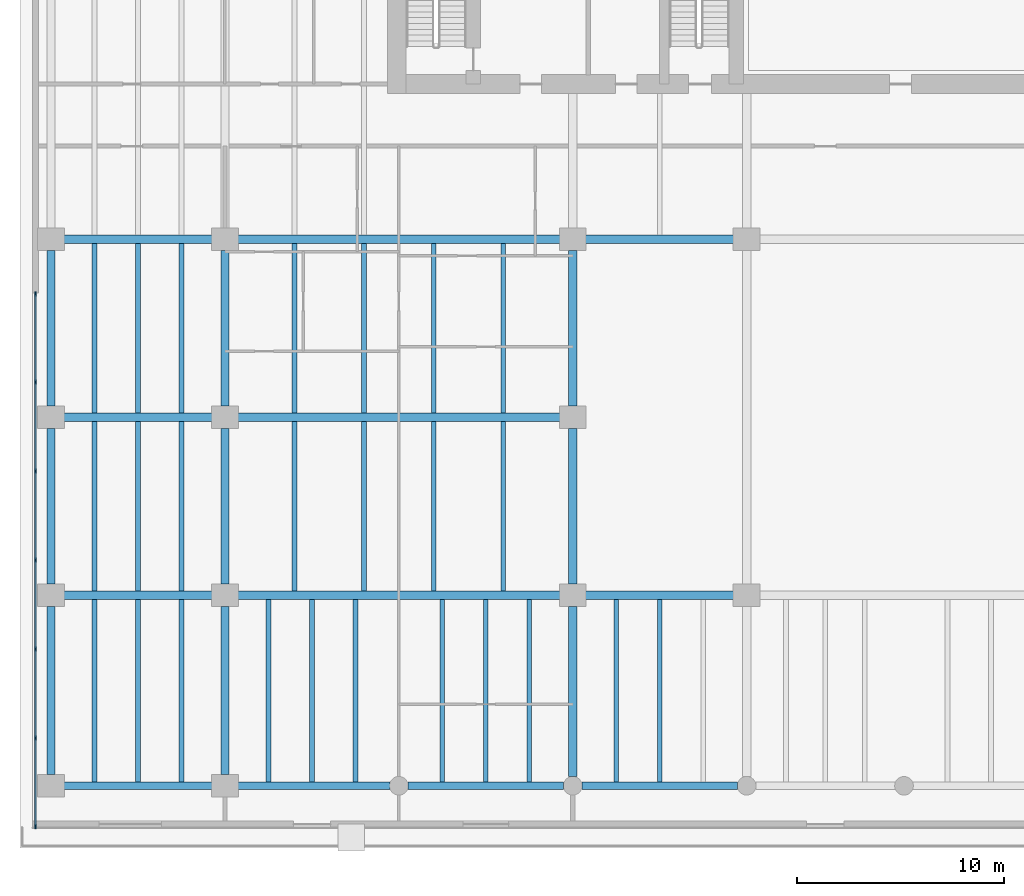
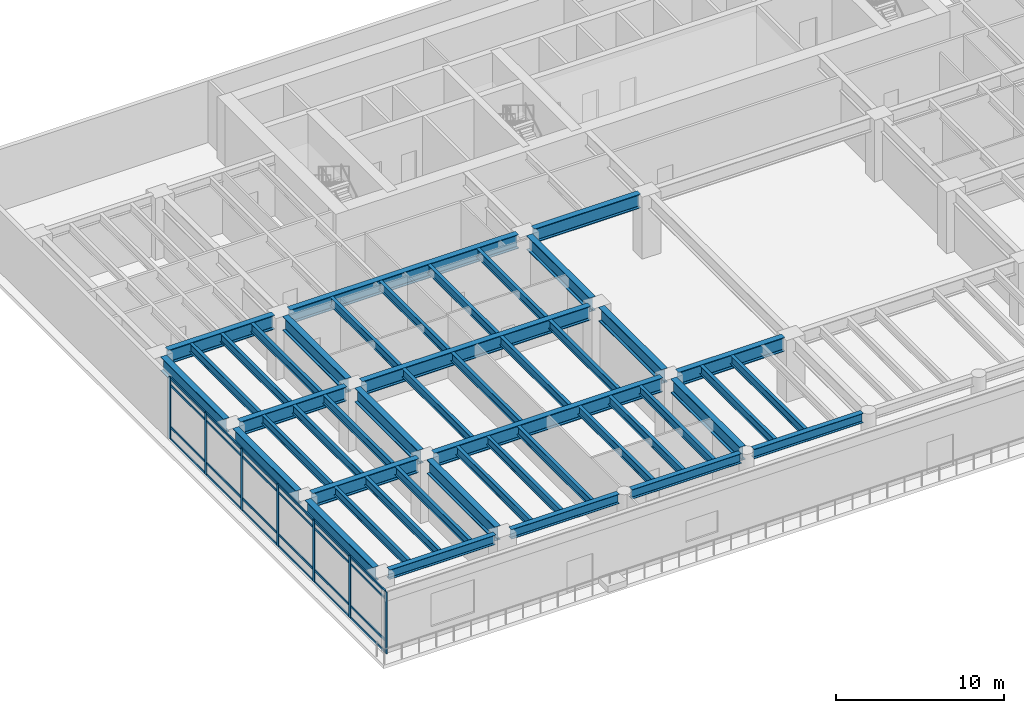
# One storey, part 2 of 17: 46 beams, 31 members, 1 element without a shape of its own.
"""IFC4 building model written with IfcOpenShell, lengths in metres."""

from ifc_helpers import new_model, si_unit, direction, frame, origin, origin_2d, place, context, subcontext, project, spatial, rectangle, i_section, extrude, material, layer, layer_set, material_profile, profile_set, type_object, element, aggregate, save


model = new_model("IFC4")

# Units and contexts
model_context = context("Model", 3, precision=1e-05, world=origin(), true_north=direction((0.0, 1.0)))
body_context = subcontext(model_context, "Body", "Model", "MODEL_VIEW")
ifc_project = project(units=[si_unit("LENGTHUNIT", "METRE"), si_unit("AREAUNIT", "SQUARE_METRE"), si_unit("VOLUMEUNIT", "CUBIC_METRE"), si_unit("PLANEANGLEUNIT", "RADIAN"), si_unit("MASSUNIT", "GRAM", prefix="KILO")], contexts=[model_context])

# Site, building, storey
site_placement = place(None, origin())
site = spatial("IfcSite", under=ifc_project, at=site_placement, CompositionType="ELEMENT")
building_placement = place(site_placement, origin())
building = spatial("IfcBuilding", under=site, at=building_placement, Name="Caelmar Bay Residences", CompositionType="ELEMENT")
storey_placement = place(building_placement, frame((0.0, 0.0, 10.199951171875)))
storey = spatial("IfcBuildingStorey", under=building, at=storey_placement, Name="L02", CompositionType="ELEMENT", Elevation=10.199951171875)

# Beams
ifc_material_1 = material(Name="Steel ASTM A992 Grade 50", Category="steel")
ifc_material_profile_1 = material_profile(ifc_material_1, i_section(OverallWidth=0.404052734375, OverallDepth=1.02099609375, WebThickness=0.025390625, FlangeThickness=0.0458984375, FilletRadius=0.02294921875, at=origin_2d()), Name="W40X324")
ifc_profile_set_1 = profile_set([ifc_material_profile_1], Name="Steel ASTM A992 Grade 50")
beam_type_1 = type_object("IfcBeamType", Name="BM-GRD-W40X324", PredefinedType="BEAM", material=ifc_profile_set_1)
beam_1_placement = place(storey_placement, frame((2.0400390625, 12.199951171875, 3.989501953125), z_axis=(1.0, 0.0, 0.0), x_axis=(0.0, 1.0, 0.0)))
element("IfcBeam", 1, at=beam_1_placement, inside=storey, type_object=beam_type_1, Name="L02 East-West Girder Y=12.20 (1.5-9.9)", PredefinedType="BEAM", context=body_context, shape_type="SweptSolid", body=[
    extrude(i_section(OverallWidth=0.404052734375, OverallDepth=1.02099609375, WebThickness=0.025390625, FlangeThickness=0.0458984375, FilletRadius=0.02294921875, at=origin_2d()), origin(), (0.0, 0.0, 1.0), 7.320068359375),
])
beam_2_placement = place(storey_placement, frame((10.43994140625, 12.199951171875, 3.989501953125), z_axis=(1.0, 0.0, 0.0), x_axis=(0.0, 1.0, 0.0)))
element("IfcBeam", 2, at=beam_2_placement, inside=storey, type_object=beam_type_1, Name="L02 East-West Girder Y=12.20 (9.9-26.7)", PredefinedType="BEAM", context=body_context, shape_type="SweptSolid", body=[
    extrude(i_section(OverallWidth=0.404052734375, OverallDepth=1.02099609375, WebThickness=0.025390625, FlangeThickness=0.0458984375, FilletRadius=0.02294921875, at=origin_2d()), origin(), (0.0, 0.0, 1.0), 15.719970703125),
])
for number, where, z_axis, x_axis, name in (
    (3, (27.239990234375, 12.199951171875, 3.989501953125), (1.0, 0.0, 0.0), (0.0, 1.0, 0.0), "L02 East-West Girder Y=12.20 (26.7-35.1)"),
    (4, (2.0400390625, 20.800048828125, 3.989501953125), (1.0, 0.0, 0.0), (0.0, 1.0, 0.0), "L02 East-West Girder Y=20.80 (1.5-9.9)"),
):
    element("IfcBeam", number, at=place(storey_placement, frame(where, z_axis=z_axis, x_axis=x_axis)), inside=storey, type_object=beam_type_1, Name=name, PredefinedType="BEAM", context=body_context, shape_type="SweptSolid", body=[
        extrude(i_section(OverallWidth=0.404052734375, OverallDepth=1.02099609375, WebThickness=0.025390625, FlangeThickness=0.0458984375, FilletRadius=0.02294921875, at=origin_2d()), origin(), (0.0, 0.0, 1.0), 7.320068359375),
    ])
beam_3_placement = place(storey_placement, frame((10.43994140625, 20.800048828125, 3.989501953125), z_axis=(1.0, 0.0, 0.0), x_axis=(0.0, 1.0, 0.0)))
element("IfcBeam", 5, at=beam_3_placement, inside=storey, type_object=beam_type_1, Name="L02 East-West Girder Y=20.80 (9.9-26.7)", PredefinedType="BEAM", context=body_context, shape_type="SweptSolid", body=[
    extrude(i_section(OverallWidth=0.404052734375, OverallDepth=1.02099609375, WebThickness=0.025390625, FlangeThickness=0.0458984375, FilletRadius=0.02294921875, at=origin_2d()), origin(), (0.0, 0.0, 1.0), 15.719970703125),
])
beam_4_placement = place(storey_placement, frame((2.0400390625, 29.39990234375, 3.989501953125), z_axis=(1.0, 0.0, 0.0), x_axis=(0.0, 1.0, 0.0)))
element("IfcBeam", 6, at=beam_4_placement, inside=storey, type_object=beam_type_1, Name="L02 East-West Girder Y=29.40 (1.5-9.9)", PredefinedType="BEAM", context=body_context, shape_type="SweptSolid", body=[
    extrude(i_section(OverallWidth=0.404052734375, OverallDepth=1.02099609375, WebThickness=0.025390625, FlangeThickness=0.0458984375, FilletRadius=0.02294921875, at=origin_2d()), origin(), (0.0, 0.0, 1.0), 7.320068359375),
])
beam_5_placement = place(storey_placement, frame((10.43994140625, 29.39990234375, 3.989501953125), z_axis=(1.0, 0.0, 0.0), x_axis=(0.0, 1.0, 0.0)))
element("IfcBeam", 7, at=beam_5_placement, inside=storey, type_object=beam_type_1, Name="L02 East-West Girder Y=29.40 (9.9-26.7)", PredefinedType="BEAM", context=body_context, shape_type="SweptSolid", body=[
    extrude(i_section(OverallWidth=0.404052734375, OverallDepth=1.02099609375, WebThickness=0.025390625, FlangeThickness=0.0458984375, FilletRadius=0.02294921875, at=origin_2d()), origin(), (0.0, 0.0, 1.0), 15.719970703125),
])
beam_6_placement = place(storey_placement, frame((27.239990234375, 29.39990234375, 3.989501953125), z_axis=(1.0, 0.0, 0.0), x_axis=(0.0, 1.0, 0.0)))
element("IfcBeam", 8, at=beam_6_placement, inside=storey, type_object=beam_type_1, Name="L02 East-West Girder Y=29.40 (26.7-35.1)", PredefinedType="BEAM", context=body_context, shape_type="SweptSolid", body=[
    extrude(i_section(OverallWidth=0.404052734375, OverallDepth=1.02099609375, WebThickness=0.025390625, FlangeThickness=0.0458984375, FilletRadius=0.02294921875, at=origin_2d()), origin(), (0.0, 0.0, 1.0), 7.320068359375),
])
beam_7_placement = place(storey_placement, frame((1.5, 3.5400390625, 3.989501953125), z_axis=(0.0, 1.0, 0.0), x_axis=(-1.0, 0.0, 0.0)))
element("IfcBeam", 9, at=beam_7_placement, inside=storey, type_object=beam_type_1, Name="L02 North-South Girder X=1.50 (3.0-12.2)", PredefinedType="BEAM", context=body_context, shape_type="SweptSolid", body=[
    extrude(i_section(OverallWidth=0.404052734375, OverallDepth=1.02099609375, WebThickness=0.025390625, FlangeThickness=0.0458984375, FilletRadius=0.02294921875, at=origin_2d()), origin(), (0.0, 0.0, 1.0), 8.119873046875),
])
for number, where, z_axis, x_axis, name in (
    (10, (1.5, 12.739990234375, 3.989501953125), (0.0, 1.0, 0.0), (-1.0, 0.0, 0.0), "L02 North-South Girder X=1.50 (12.2-20.8)"),
    (11, (1.5, 21.340087890625, 3.989501953125), (0.0, 1.0, 0.0), (-1.0, 0.0, 0.0), "L02 North-South Girder X=1.50 (20.8-29.4)"),
):
    element("IfcBeam", number, at=place(storey_placement, frame(where, z_axis=z_axis, x_axis=x_axis)), inside=storey, type_object=beam_type_1, Name=name, PredefinedType="BEAM", context=body_context, shape_type="SweptSolid", body=[
        extrude(i_section(OverallWidth=0.404052734375, OverallDepth=1.02099609375, WebThickness=0.025390625, FlangeThickness=0.0458984375, FilletRadius=0.02294921875, at=origin_2d()), origin(), (0.0, 0.0, 1.0), 7.52001953125),
    ])
beam_8_placement = place(storey_placement, frame((9.89990234375, 3.5400390625, 3.989501953125), z_axis=(0.0, 1.0, 0.0), x_axis=(-1.0, 0.0, 0.0)))
element("IfcBeam", 12, at=beam_8_placement, inside=storey, type_object=beam_type_1, Name="L02 North-South Girder X=9.90 (3.0-12.2)", PredefinedType="BEAM", context=body_context, shape_type="SweptSolid", body=[
    extrude(i_section(OverallWidth=0.404052734375, OverallDepth=1.02099609375, WebThickness=0.025390625, FlangeThickness=0.0458984375, FilletRadius=0.02294921875, at=origin_2d()), origin(), (0.0, 0.0, 1.0), 8.119873046875),
])
for number, where, z_axis, x_axis, name in (
    (13, (9.89990234375, 12.739990234375, 3.989501953125), (0.0, 1.0, 0.0), (-1.0, 0.0, 0.0), "L02 North-South Girder X=9.90 (12.2-20.8)"),
    (14, (9.89990234375, 21.340087890625, 3.989501953125), (0.0, 1.0, 0.0), (-1.0, 0.0, 0.0), "L02 North-South Girder X=9.90 (20.8-29.4)"),
):
    element("IfcBeam", number, at=place(storey_placement, frame(where, z_axis=z_axis, x_axis=x_axis)), inside=storey, type_object=beam_type_1, Name=name, PredefinedType="BEAM", context=body_context, shape_type="SweptSolid", body=[
        extrude(i_section(OverallWidth=0.404052734375, OverallDepth=1.02099609375, WebThickness=0.025390625, FlangeThickness=0.0458984375, FilletRadius=0.02294921875, at=origin_2d()), origin(), (0.0, 0.0, 1.0), 7.52001953125),
    ])
beam_9_placement = place(storey_placement, frame((26.699951171875, 3.43994140625, 3.989501953125), z_axis=(0.0, 1.0, 0.0), x_axis=(-1.0, 0.0, 0.0)))
element("IfcBeam", 15, at=beam_9_placement, inside=storey, type_object=beam_type_1, Name="L02 North-South Girder X=26.70 (3.0-12.2)", PredefinedType="BEAM", context=body_context, shape_type="SweptSolid", body=[
    extrude(i_section(OverallWidth=0.404052734375, OverallDepth=1.02099609375, WebThickness=0.025390625, FlangeThickness=0.0458984375, FilletRadius=0.02294921875, at=origin_2d()), origin(), (0.0, 0.0, 1.0), 8.219970703125),
])
for number, where, z_axis, x_axis, name in (
    (16, (26.699951171875, 12.739990234375, 3.989501953125), (0.0, 1.0, 0.0), (-1.0, 0.0, 0.0), "L02 North-South Girder X=26.70 (12.2-20.8)"),
    (17, (26.699951171875, 21.340087890625, 3.989501953125), (0.0, 1.0, 0.0), (-1.0, 0.0, 0.0), "L02 North-South Girder X=26.70 (20.8-29.4)"),
):
    element("IfcBeam", number, at=place(storey_placement, frame(where, z_axis=z_axis, x_axis=x_axis)), inside=storey, type_object=beam_type_1, Name=name, PredefinedType="BEAM", context=body_context, shape_type="SweptSolid", body=[
        extrude(i_section(OverallWidth=0.404052734375, OverallDepth=1.02099609375, WebThickness=0.025390625, FlangeThickness=0.0458984375, FilletRadius=0.02294921875, at=origin_2d()), origin(), (0.0, 0.0, 1.0), 7.52001953125),
    ])
ifc_material_profile_2 = material_profile(ifc_material_1, i_section(OverallWidth=0.22900390625, OverallDepth=0.612060546875, WebThickness=0.011962890625, FlangeThickness=0.01953125, FilletRadius=0.0126953125, at=origin_2d()), Name="W24X84")
ifc_profile_set_2 = profile_set([ifc_material_profile_2], Name="Steel ASTM A992 Grade 50")
beam_type_2 = type_object("IfcBeamType", Name="BM-JST-W24X84", PredefinedType="JOIST", material=ifc_profile_set_2)
for number, where, z_axis, x_axis, name in (
    (18, (3.60009765625, 3.177978515625, 4.194091796875), (0.0, 1.0, 0.0), (-1.0, 0.0, 0.0), "L02 Composite Floor Joist 1"),
    (19, (5.699951171875, 3.177978515625, 4.194091796875), (0.0, 1.0, 0.0), (-1.0, 0.0, 0.0), "L02 Composite Floor Joist 2"),
    (20, (7.800048828125, 3.177978515625, 4.194091796875), (0.0, 1.0, 0.0), (-1.0, 0.0, 0.0), "L02 Composite Floor Joist 3"),
    (21, (12.0, 3.177978515625, 4.194091796875), (0.0, 1.0, 0.0), (-1.0, 0.0, 0.0), "L02 Composite Floor Joist 4"),
    (22, (14.10009765625, 3.177978515625, 4.194091796875), (0.0, 1.0, 0.0), (-1.0, 0.0, 0.0), "L02 Composite Floor Joist 5"),
    (23, (16.199951171875, 3.177978515625, 4.194091796875), (0.0, 1.0, 0.0), (-1.0, 0.0, 0.0), "L02 Composite Floor Joist 6"),
    (24, (20.39990234375, 3.177978515625, 4.194091796875), (0.0, 1.0, 0.0), (-1.0, 0.0, 0.0), "L02 Composite Floor Joist 7"),
    (25, (22.5, 3.177978515625, 4.194091796875), (0.0, 1.0, 0.0), (-1.0, 0.0, 0.0), "L02 Composite Floor Joist 8"),
    (26, (24.60009765625, 3.177978515625, 4.194091796875), (0.0, 1.0, 0.0), (-1.0, 0.0, 0.0), "L02 Composite Floor Joist 9"),
    (27, (28.800048828125, 3.177978515625, 4.194091796875), (0.0, 1.0, 0.0), (-1.0, 0.0, 0.0), "L02 Composite Floor Joist 10"),
    (28, (30.89990234375, 3.177978515625, 4.194091796875), (0.0, 1.0, 0.0), (-1.0, 0.0, 0.0), "L02 Composite Floor Joist 11"),
):
    element("IfcBeam", number, at=place(storey_placement, frame(where, z_axis=z_axis, x_axis=x_axis)), inside=storey, type_object=beam_type_2, Name=name, PredefinedType="JOIST", context=body_context, shape_type="SweptSolid", body=[
        extrude(i_section(OverallWidth=0.22900390625, OverallDepth=0.612060546875, WebThickness=0.011962890625, FlangeThickness=0.01953125, FilletRadius=0.0126953125, at=origin_2d()), origin(), (0.0, 0.0, 1.0), 8.820068359375),
    ])
for number, where, z_axis, x_axis, name in (
    (29, (3.60009765625, 12.402099609375, 4.194091796875), (0.0, 1.0, 0.0), (-1.0, 0.0, 0.0), "L02 Composite Floor Joist 28"),
    (30, (5.699951171875, 12.402099609375, 4.194091796875), (0.0, 1.0, 0.0), (-1.0, 0.0, 0.0), "L02 Composite Floor Joist 29"),
    (31, (7.800048828125, 12.402099609375, 4.194091796875), (0.0, 1.0, 0.0), (-1.0, 0.0, 0.0), "L02 Composite Floor Joist 30"),
    (32, (13.260009765625, 12.402099609375, 4.194091796875), (0.0, 1.0, 0.0), (-1.0, 0.0, 0.0), "L02 Composite Floor Joist 31"),
    (33, (16.6201171875, 12.402099609375, 4.194091796875), (0.0, 1.0, 0.0), (-1.0, 0.0, 0.0), "L02 Composite Floor Joist 32"),
    (34, (19.97998046875, 12.402099609375, 4.194091796875), (0.0, 1.0, 0.0), (-1.0, 0.0, 0.0), "L02 Composite Floor Joist 33"),
    (35, (23.340087890625, 12.402099609375, 4.194091796875), (0.0, 1.0, 0.0), (-1.0, 0.0, 0.0), "L02 Composite Floor Joist 34"),
):
    element("IfcBeam", number, at=place(storey_placement, frame(where, z_axis=z_axis, x_axis=x_axis)), inside=storey, type_object=beam_type_2, Name=name, PredefinedType="JOIST", context=body_context, shape_type="SweptSolid", body=[
        extrude(i_section(OverallWidth=0.22900390625, OverallDepth=0.612060546875, WebThickness=0.011962890625, FlangeThickness=0.01953125, FilletRadius=0.0126953125, at=origin_2d()), origin(), (0.0, 0.0, 1.0), 8.19580078125),
    ])
for number, where, z_axis, x_axis, name in (
    (36, (3.60009765625, 21.001953125, 4.194091796875), (0.0, 1.0, 0.0), (-1.0, 0.0, 0.0), "L02 Composite Floor Joist 42"),
    (37, (5.699951171875, 21.001953125, 4.194091796875), (0.0, 1.0, 0.0), (-1.0, 0.0, 0.0), "L02 Composite Floor Joist 43"),
    (38, (7.800048828125, 21.001953125, 4.194091796875), (0.0, 1.0, 0.0), (-1.0, 0.0, 0.0), "L02 Composite Floor Joist 44"),
    (39, (13.260009765625, 21.001953125, 4.194091796875), (0.0, 1.0, 0.0), (-1.0, 0.0, 0.0), "L02 Composite Floor Joist 45"),
    (40, (16.6201171875, 21.001953125, 4.194091796875), (0.0, 1.0, 0.0), (-1.0, 0.0, 0.0), "L02 Composite Floor Joist 46"),
    (41, (19.97998046875, 21.001953125, 4.194091796875), (0.0, 1.0, 0.0), (-1.0, 0.0, 0.0), "L02 Composite Floor Joist 47"),
    (42, (23.340087890625, 21.001953125, 4.194091796875), (0.0, 1.0, 0.0), (-1.0, 0.0, 0.0), "L02 Composite Floor Joist 48"),
):
    element("IfcBeam", number, at=place(storey_placement, frame(where, z_axis=z_axis, x_axis=x_axis)), inside=storey, type_object=beam_type_2, Name=name, PredefinedType="JOIST", context=body_context, shape_type="SweptSolid", body=[
        extrude(i_section(OverallWidth=0.22900390625, OverallDepth=0.612060546875, WebThickness=0.011962890625, FlangeThickness=0.01953125, FilletRadius=0.0126953125, at=origin_2d()), origin(), (0.0, 0.0, 1.0), 8.196044921875),
    ])
ifc_material_profile_3 = material_profile(ifc_material_1, i_section(OverallWidth=0.35595703125, OverallDepth=0.696044921875, WebThickness=0.015380859375, FlangeThickness=0.02490234375, FilletRadius=0.01513671875, at=origin_2d()), Name="W27X146")
ifc_profile_set_3 = profile_set([ifc_material_profile_3], Name="Steel ASTM A992 Grade 50")
beam_type_3 = type_object("IfcBeamType", Name="BM-SPN-W27X146", PredefinedType="SPANDREL", material=ifc_profile_set_3)
beam_10_placement = place(storey_placement, frame((2.0400390625, 3.0, 4.152099609375), z_axis=(1.0, 0.0, 0.0), x_axis=(0.0, 1.0, 0.0)))
element("IfcBeam", 43, at=beam_10_placement, inside=storey, type_object=beam_type_3, Name="L02 East-West Girder Y=3.00 (1.5-9.9)", PredefinedType="SPANDREL", context=body_context, shape_type="SweptSolid", body=[
    extrude(i_section(OverallWidth=0.35595703125, OverallDepth=0.696044921875, WebThickness=0.015380859375, FlangeThickness=0.02490234375, FilletRadius=0.01513671875, at=origin_2d()), origin(), (0.0, 0.0, 1.0), 7.320068359375),
])
beam_11_placement = place(storey_placement, frame((10.43994140625, 3.0, 4.152099609375), z_axis=(1.0, 0.0, 0.0), x_axis=(0.0, 1.0, 0.0)))
element("IfcBeam", 44, at=beam_11_placement, inside=storey, type_object=beam_type_3, Name="L02 East-West Girder Y=3.00 (9.9-18.3)", PredefinedType="SPANDREL", context=body_context, shape_type="SweptSolid", body=[
    extrude(i_section(OverallWidth=0.35595703125, OverallDepth=0.696044921875, WebThickness=0.015380859375, FlangeThickness=0.02490234375, FilletRadius=0.01513671875, at=origin_2d()), origin(), (0.0, 0.0, 1.0), 7.420166015625),
])
for number, where, z_axis, x_axis, name in (
    (45, (18.739990234375, 3.0, 4.152099609375), (1.0, 0.0, 0.0), (0.0, 1.0, 0.0), "L02 East-West Girder Y=3.00 (18.3-26.7)"),
    (46, (27.139892578125, 3.0, 4.152099609375), (1.0, 0.0, 0.0), (0.0, 1.0, 0.0), "L02 East-West Girder Y=3.00 (26.7-35.1)"),
):
    element("IfcBeam", number, at=place(storey_placement, frame(where, z_axis=z_axis, x_axis=x_axis)), inside=storey, type_object=beam_type_3, Name=name, PredefinedType="SPANDREL", context=body_context, shape_type="SweptSolid", body=[
        extrude(i_section(OverallWidth=0.35595703125, OverallDepth=0.696044921875, WebThickness=0.015380859375, FlangeThickness=0.02490234375, FilletRadius=0.01513671875, at=origin_2d()), origin(), (0.0, 0.0, 1.0), 7.52001953125),
    ])

# Curtain wall, members
ifc_material_2 = material(Name="Anodised bronze aluminium 6063-T6 and laminated glass", Category="aluminium")
ifc_layer = layer(ifc_material_2, 0.179931640625)
ifc_layer_set = layer_set([ifc_layer], Name="Anodised bronze aluminium 6063-T6 and laminated glass")
curtain_wall_type = type_object("IfcCurtainWallType", Name="CW1-POD", PredefinedType="NOTDEFINED", material=ifc_layer_set)
curtain_wall_placement = place(storey_placement, origin())
curtain_wall = element("IfcCurtainWall", 47, at=curtain_wall_placement, inside=storey, type_object=curtain_wall_type, Name="CW1 curtain wall L02", PredefinedType="NOTDEFINED")
ifc_material_3 = material(Name="Anodised bronze aluminium 6063-T6", Category="aluminium")
ifc_material_profile_4 = material_profile(ifc_material_3, rectangle(XDim=0.080078125, YDim=0.219970703125, at=origin_2d()), Name="CWM-80X220")
ifc_profile_set_4 = profile_set([ifc_material_profile_4], Name="Anodised bronze aluminium 6063-T6")
member_type_1 = type_object("IfcMemberType", Name="CWM-220", PredefinedType="MULLION", material=ifc_profile_set_4)
member_1_placement = place(storey_placement, frame((0.75, 1.0400390625, 0.0), z_axis=(0.0, 0.0, 1.0), x_axis=(-1.0, 0.0, 0.0)))
member_1 = element("IfcMember", 48, at=member_1_placement, type_object=member_type_1, Name="CW1 mullion 1", PredefinedType="MULLION", context=body_context, shape_type="SweptSolid", body=[
    extrude(rectangle(XDim=0.080078125, YDim=0.219970703125, at=origin_2d()), origin(), (0.0, 0.0, 1.0), 4.5),
])
member_2_placement = place(storey_placement, frame((0.75, 5.300048828125, 0.0), z_axis=(0.0, 0.0, 1.0), x_axis=(-1.0, 0.0, 0.0)))
member_2 = element("IfcMember", 49, at=member_2_placement, type_object=member_type_1, Name="CW1 mullion 2", PredefinedType="MULLION", context=body_context, shape_type="SweptSolid", body=[
    extrude(rectangle(XDim=0.080078125, YDim=0.219970703125, at=origin_2d()), origin(), (0.0, 0.0, 1.0), 4.5),
])
member_3_placement = place(storey_placement, frame((0.75, 9.60009765625, 0.0), z_axis=(0.0, 0.0, 1.0), x_axis=(-1.0, 0.0, 0.0)))
member_3 = element("IfcMember", 50, at=member_3_placement, type_object=member_type_1, Name="CW1 mullion 3", PredefinedType="MULLION", context=body_context, shape_type="SweptSolid", body=[
    extrude(rectangle(XDim=0.080078125, YDim=0.219970703125, at=origin_2d()), origin(), (0.0, 0.0, 1.0), 4.5),
])
member_4_placement = place(storey_placement, frame((0.75, 13.89990234375, 0.0), z_axis=(0.0, 0.0, 1.0), x_axis=(-1.0, 0.0, 0.0)))
member_4 = element("IfcMember", 51, at=member_4_placement, type_object=member_type_1, Name="CW1 mullion 4", PredefinedType="MULLION", context=body_context, shape_type="SweptSolid", body=[
    extrude(rectangle(XDim=0.080078125, YDim=0.219970703125, at=origin_2d()), origin(), (0.0, 0.0, 1.0), 4.5),
])
member_5_placement = place(storey_placement, frame((0.75, 18.199951171875, 0.0), z_axis=(0.0, 0.0, 1.0), x_axis=(-1.0, 0.0, 0.0)))
member_5 = element("IfcMember", 52, at=member_5_placement, type_object=member_type_1, Name="CW1 mullion 5", PredefinedType="MULLION", context=body_context, shape_type="SweptSolid", body=[
    extrude(rectangle(XDim=0.080078125, YDim=0.219970703125, at=origin_2d()), origin(), (0.0, 0.0, 1.0), 4.5),
])
member_6_placement = place(storey_placement, frame((0.75, 22.5, 0.0), z_axis=(0.0, 0.0, 1.0), x_axis=(-1.0, 0.0, 0.0)))
member_6 = element("IfcMember", 53, at=member_6_placement, type_object=member_type_1, Name="CW1 mullion 6", PredefinedType="MULLION", context=body_context, shape_type="SweptSolid", body=[
    extrude(rectangle(XDim=0.080078125, YDim=0.219970703125, at=origin_2d()), origin(), (0.0, 0.0, 1.0), 4.5),
])
member_7_placement = place(storey_placement, frame((0.75, 26.760009765625, 0.0), z_axis=(0.0, 0.0, 1.0), x_axis=(-1.0, 0.0, 0.0)))
member_7 = element("IfcMember", 54, at=member_7_placement, type_object=member_type_1, Name="CW1 mullion 7", PredefinedType="MULLION", context=body_context, shape_type="SweptSolid", body=[
    extrude(rectangle(XDim=0.080078125, YDim=0.219970703125, at=origin_2d()), origin(), (0.0, 0.0, 1.0), 4.5),
])
ifc_material_profile_5 = material_profile(ifc_material_3, rectangle(XDim=0.080078125, YDim=0.159912109375, at=origin_2d()), Name="CWT-80X160")
ifc_profile_set_5 = profile_set([ifc_material_profile_5], Name="Anodised bronze aluminium 6063-T6")
member_type_2 = type_object("IfcMemberType", Name="CWT-160", PredefinedType="NOTDEFINED", material=ifc_profile_set_5)
member_8_placement = place(storey_placement, frame((0.75, 1.080078125, 0.0400390625), z_axis=(0.0, 1.0, 0.0), x_axis=(-1.0, 0.0, 0.0)))
member_8 = element("IfcMember", 55, at=member_8_placement, type_object=member_type_2, Name="CW1 transom 1.1", ObjectType="TRANSOM", PredefinedType="USERDEFINED", context=body_context, shape_type="SweptSolid", body=[
    extrude(rectangle(XDim=0.080078125, YDim=0.159912109375, at=origin_2d()), origin(), (0.0, 0.0, 1.0), 4.179931640625),
])
member_9_placement = place(storey_placement, frame((0.75, 1.080078125, 0.900146484375), z_axis=(0.0, 1.0, 0.0), x_axis=(-1.0, 0.0, 0.0)))
member_9 = element("IfcMember", 56, at=member_9_placement, type_object=member_type_2, Name="CW1 transom 1.2", ObjectType="TRANSOM", PredefinedType="USERDEFINED", context=body_context, shape_type="SweptSolid", body=[
    extrude(rectangle(XDim=0.080078125, YDim=0.159912109375, at=origin_2d()), origin(), (0.0, 0.0, 1.0), 4.179931640625),
])
member_10_placement = place(storey_placement, frame((0.75, 1.080078125, 3.949951171875), z_axis=(0.0, 1.0, 0.0), x_axis=(-1.0, 0.0, 0.0)))
member_10 = element("IfcMember", 57, at=member_10_placement, type_object=member_type_2, Name="CW1 transom 1.3", ObjectType="TRANSOM", PredefinedType="USERDEFINED", context=body_context, shape_type="SweptSolid", body=[
    extrude(rectangle(XDim=0.080078125, YDim=0.159912109375, at=origin_2d()), origin(), (0.0, 0.0, 1.0), 4.179931640625),
])
member_11_placement = place(storey_placement, frame((0.75, 1.080078125, 4.4599609375), z_axis=(0.0, 1.0, 0.0), x_axis=(-1.0, 0.0, 0.0)))
member_11 = element("IfcMember", 58, at=member_11_placement, type_object=member_type_2, Name="CW1 transom 1.4", ObjectType="TRANSOM", PredefinedType="USERDEFINED", context=body_context, shape_type="SweptSolid", body=[
    extrude(rectangle(XDim=0.080078125, YDim=0.159912109375, at=origin_2d()), origin(), (0.0, 0.0, 1.0), 4.179931640625),
])
member_12_placement = place(storey_placement, frame((0.75, 5.340087890625, 0.0400390625), z_axis=(0.0, 1.0, 0.0), x_axis=(-1.0, 0.0, 0.0)))
member_12 = element("IfcMember", 59, at=member_12_placement, type_object=member_type_2, Name="CW1 transom 2.1", ObjectType="TRANSOM", PredefinedType="USERDEFINED", context=body_context, shape_type="SweptSolid", body=[
    extrude(rectangle(XDim=0.080078125, YDim=0.159912109375, at=origin_2d()), origin(), (0.0, 0.0, 1.0), 4.219970703125),
])
member_13_placement = place(storey_placement, frame((0.75, 5.340087890625, 0.900146484375), z_axis=(0.0, 1.0, 0.0), x_axis=(-1.0, 0.0, 0.0)))
member_13 = element("IfcMember", 60, at=member_13_placement, type_object=member_type_2, Name="CW1 transom 2.2", ObjectType="TRANSOM", PredefinedType="USERDEFINED", context=body_context, shape_type="SweptSolid", body=[
    extrude(rectangle(XDim=0.080078125, YDim=0.159912109375, at=origin_2d()), origin(), (0.0, 0.0, 1.0), 4.219970703125),
])
member_14_placement = place(storey_placement, frame((0.75, 5.340087890625, 3.949951171875), z_axis=(0.0, 1.0, 0.0), x_axis=(-1.0, 0.0, 0.0)))
member_14 = element("IfcMember", 61, at=member_14_placement, type_object=member_type_2, Name="CW1 transom 2.3", ObjectType="TRANSOM", PredefinedType="USERDEFINED", context=body_context, shape_type="SweptSolid", body=[
    extrude(rectangle(XDim=0.080078125, YDim=0.159912109375, at=origin_2d()), origin(), (0.0, 0.0, 1.0), 4.219970703125),
])
member_15_placement = place(storey_placement, frame((0.75, 5.340087890625, 4.4599609375), z_axis=(0.0, 1.0, 0.0), x_axis=(-1.0, 0.0, 0.0)))
member_15 = element("IfcMember", 62, at=member_15_placement, type_object=member_type_2, Name="CW1 transom 2.4", ObjectType="TRANSOM", PredefinedType="USERDEFINED", context=body_context, shape_type="SweptSolid", body=[
    extrude(rectangle(XDim=0.080078125, YDim=0.159912109375, at=origin_2d()), origin(), (0.0, 0.0, 1.0), 4.219970703125),
])
member_16_placement = place(storey_placement, frame((0.75, 9.639892578125, 0.0400390625), z_axis=(0.0, 1.0, 0.0), x_axis=(-1.0, 0.0, 0.0)))
member_16 = element("IfcMember", 63, at=member_16_placement, type_object=member_type_2, Name="CW1 transom 3.1", ObjectType="TRANSOM", PredefinedType="USERDEFINED", context=body_context, shape_type="SweptSolid", body=[
    extrude(rectangle(XDim=0.080078125, YDim=0.159912109375, at=origin_2d()), origin(), (0.0, 0.0, 1.0), 4.22021484375),
])
member_17_placement = place(storey_placement, frame((0.75, 9.639892578125, 0.900146484375), z_axis=(0.0, 1.0, 0.0), x_axis=(-1.0, 0.0, 0.0)))
member_17 = element("IfcMember", 64, at=member_17_placement, type_object=member_type_2, Name="CW1 transom 3.2", ObjectType="TRANSOM", PredefinedType="USERDEFINED", context=body_context, shape_type="SweptSolid", body=[
    extrude(rectangle(XDim=0.080078125, YDim=0.159912109375, at=origin_2d()), origin(), (0.0, 0.0, 1.0), 4.22021484375),
])
member_18_placement = place(storey_placement, frame((0.75, 9.639892578125, 3.949951171875), z_axis=(0.0, 1.0, 0.0), x_axis=(-1.0, 0.0, 0.0)))
member_18 = element("IfcMember", 65, at=member_18_placement, type_object=member_type_2, Name="CW1 transom 3.3", ObjectType="TRANSOM", PredefinedType="USERDEFINED", context=body_context, shape_type="SweptSolid", body=[
    extrude(rectangle(XDim=0.080078125, YDim=0.159912109375, at=origin_2d()), origin(), (0.0, 0.0, 1.0), 4.22021484375),
])
member_19_placement = place(storey_placement, frame((0.75, 9.639892578125, 4.4599609375), z_axis=(0.0, 1.0, 0.0), x_axis=(-1.0, 0.0, 0.0)))
member_19 = element("IfcMember", 66, at=member_19_placement, type_object=member_type_2, Name="CW1 transom 3.4", ObjectType="TRANSOM", PredefinedType="USERDEFINED", context=body_context, shape_type="SweptSolid", body=[
    extrude(rectangle(XDim=0.080078125, YDim=0.159912109375, at=origin_2d()), origin(), (0.0, 0.0, 1.0), 4.22021484375),
])
member_20_placement = place(storey_placement, frame((0.75, 13.93994140625, 0.0400390625), z_axis=(0.0, 1.0, 0.0), x_axis=(-1.0, 0.0, 0.0)))
member_20 = element("IfcMember", 67, at=member_20_placement, type_object=member_type_2, Name="CW1 transom 4.1", ObjectType="TRANSOM", PredefinedType="USERDEFINED", context=body_context, shape_type="SweptSolid", body=[
    extrude(rectangle(XDim=0.080078125, YDim=0.159912109375, at=origin_2d()), origin(), (0.0, 0.0, 1.0), 4.219970703125),
])
member_21_placement = place(storey_placement, frame((0.75, 13.93994140625, 0.900146484375), z_axis=(0.0, 1.0, 0.0), x_axis=(-1.0, 0.0, 0.0)))
member_21 = element("IfcMember", 68, at=member_21_placement, type_object=member_type_2, Name="CW1 transom 4.2", ObjectType="TRANSOM", PredefinedType="USERDEFINED", context=body_context, shape_type="SweptSolid", body=[
    extrude(rectangle(XDim=0.080078125, YDim=0.159912109375, at=origin_2d()), origin(), (0.0, 0.0, 1.0), 4.219970703125),
])
member_22_placement = place(storey_placement, frame((0.75, 13.93994140625, 3.949951171875), z_axis=(0.0, 1.0, 0.0), x_axis=(-1.0, 0.0, 0.0)))
member_22 = element("IfcMember", 69, at=member_22_placement, type_object=member_type_2, Name="CW1 transom 4.3", ObjectType="TRANSOM", PredefinedType="USERDEFINED", context=body_context, shape_type="SweptSolid", body=[
    extrude(rectangle(XDim=0.080078125, YDim=0.159912109375, at=origin_2d()), origin(), (0.0, 0.0, 1.0), 4.219970703125),
])
member_23_placement = place(storey_placement, frame((0.75, 13.93994140625, 4.4599609375), z_axis=(0.0, 1.0, 0.0), x_axis=(-1.0, 0.0, 0.0)))
member_23 = element("IfcMember", 70, at=member_23_placement, type_object=member_type_2, Name="CW1 transom 4.4", ObjectType="TRANSOM", PredefinedType="USERDEFINED", context=body_context, shape_type="SweptSolid", body=[
    extrude(rectangle(XDim=0.080078125, YDim=0.159912109375, at=origin_2d()), origin(), (0.0, 0.0, 1.0), 4.219970703125),
])
member_24_placement = place(storey_placement, frame((0.75, 18.239990234375, 0.0400390625), z_axis=(0.0, 1.0, 0.0), x_axis=(-1.0, 0.0, 0.0)))
member_24 = element("IfcMember", 71, at=member_24_placement, type_object=member_type_2, Name="CW1 transom 5.1", ObjectType="TRANSOM", PredefinedType="USERDEFINED", context=body_context, shape_type="SweptSolid", body=[
    extrude(rectangle(XDim=0.080078125, YDim=0.159912109375, at=origin_2d()), origin(), (0.0, 0.0, 1.0), 4.219970703125),
])
member_25_placement = place(storey_placement, frame((0.75, 18.239990234375, 0.900146484375), z_axis=(0.0, 1.0, 0.0), x_axis=(-1.0, 0.0, 0.0)))
member_25 = element("IfcMember", 72, at=member_25_placement, type_object=member_type_2, Name="CW1 transom 5.2", ObjectType="TRANSOM", PredefinedType="USERDEFINED", context=body_context, shape_type="SweptSolid", body=[
    extrude(rectangle(XDim=0.080078125, YDim=0.159912109375, at=origin_2d()), origin(), (0.0, 0.0, 1.0), 4.219970703125),
])
member_26_placement = place(storey_placement, frame((0.75, 18.239990234375, 3.949951171875), z_axis=(0.0, 1.0, 0.0), x_axis=(-1.0, 0.0, 0.0)))
member_26 = element("IfcMember", 73, at=member_26_placement, type_object=member_type_2, Name="CW1 transom 5.3", ObjectType="TRANSOM", PredefinedType="USERDEFINED", context=body_context, shape_type="SweptSolid", body=[
    extrude(rectangle(XDim=0.080078125, YDim=0.159912109375, at=origin_2d()), origin(), (0.0, 0.0, 1.0), 4.219970703125),
])
member_27_placement = place(storey_placement, frame((0.75, 18.239990234375, 4.4599609375), z_axis=(0.0, 1.0, 0.0), x_axis=(-1.0, 0.0, 0.0)))
member_27 = element("IfcMember", 74, at=member_27_placement, type_object=member_type_2, Name="CW1 transom 5.4", ObjectType="TRANSOM", PredefinedType="USERDEFINED", context=body_context, shape_type="SweptSolid", body=[
    extrude(rectangle(XDim=0.080078125, YDim=0.159912109375, at=origin_2d()), origin(), (0.0, 0.0, 1.0), 4.219970703125),
])
member_28_placement = place(storey_placement, frame((0.75, 22.5400390625, 0.0400390625), z_axis=(0.0, 1.0, 0.0), x_axis=(-1.0, 0.0, 0.0)))
member_28 = element("IfcMember", 75, at=member_28_placement, type_object=member_type_2, Name="CW1 transom 6.1", ObjectType="TRANSOM", PredefinedType="USERDEFINED", context=body_context, shape_type="SweptSolid", body=[
    extrude(rectangle(XDim=0.080078125, YDim=0.159912109375, at=origin_2d()), origin(), (0.0, 0.0, 1.0), 4.179931640625),
])
member_29_placement = place(storey_placement, frame((0.75, 22.5400390625, 0.900146484375), z_axis=(0.0, 1.0, 0.0), x_axis=(-1.0, 0.0, 0.0)))
member_29 = element("IfcMember", 76, at=member_29_placement, type_object=member_type_2, Name="CW1 transom 6.2", ObjectType="TRANSOM", PredefinedType="USERDEFINED", context=body_context, shape_type="SweptSolid", body=[
    extrude(rectangle(XDim=0.080078125, YDim=0.159912109375, at=origin_2d()), origin(), (0.0, 0.0, 1.0), 4.179931640625),
])
member_30_placement = place(storey_placement, frame((0.75, 22.5400390625, 3.949951171875), z_axis=(0.0, 1.0, 0.0), x_axis=(-1.0, 0.0, 0.0)))
member_30 = element("IfcMember", 77, at=member_30_placement, type_object=member_type_2, Name="CW1 transom 6.3", ObjectType="TRANSOM", PredefinedType="USERDEFINED", context=body_context, shape_type="SweptSolid", body=[
    extrude(rectangle(XDim=0.080078125, YDim=0.159912109375, at=origin_2d()), origin(), (0.0, 0.0, 1.0), 4.179931640625),
])
member_31_placement = place(storey_placement, frame((0.75, 22.5400390625, 4.4599609375), z_axis=(0.0, 1.0, 0.0), x_axis=(-1.0, 0.0, 0.0)))
member_31 = element("IfcMember", 78, at=member_31_placement, type_object=member_type_2, Name="CW1 transom 6.4", ObjectType="TRANSOM", PredefinedType="USERDEFINED", context=body_context, shape_type="SweptSolid", body=[
    extrude(rectangle(XDim=0.080078125, YDim=0.159912109375, at=origin_2d()), origin(), (0.0, 0.0, 1.0), 4.179931640625),
])
aggregate(curtain_wall, [member_1, member_2, member_3, member_4, member_5, member_6, member_7, member_8, member_9, member_10, member_11, member_12, member_13, member_14, member_15, member_16, member_17, member_18, member_19, member_20, member_21, member_22, member_23, member_24, member_25, member_26, member_27, member_28, member_29, member_30, member_31])

save(model, "model.ifc")
